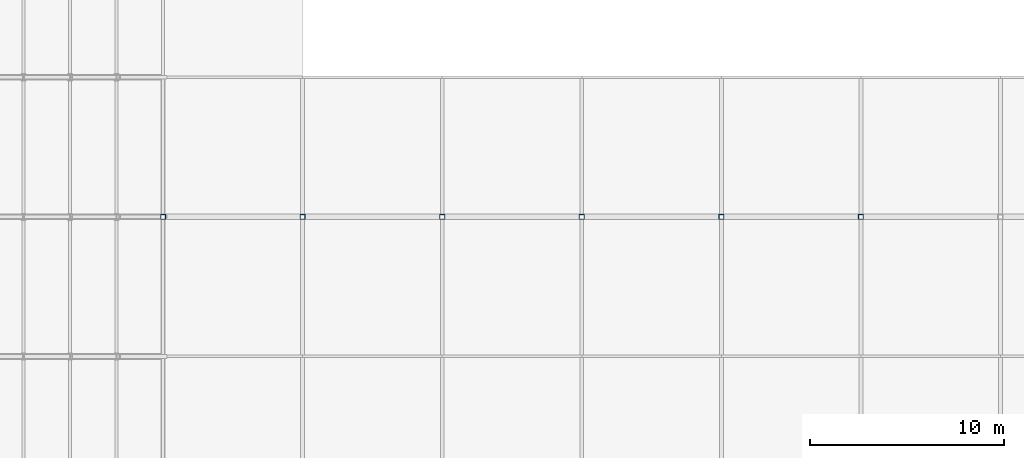
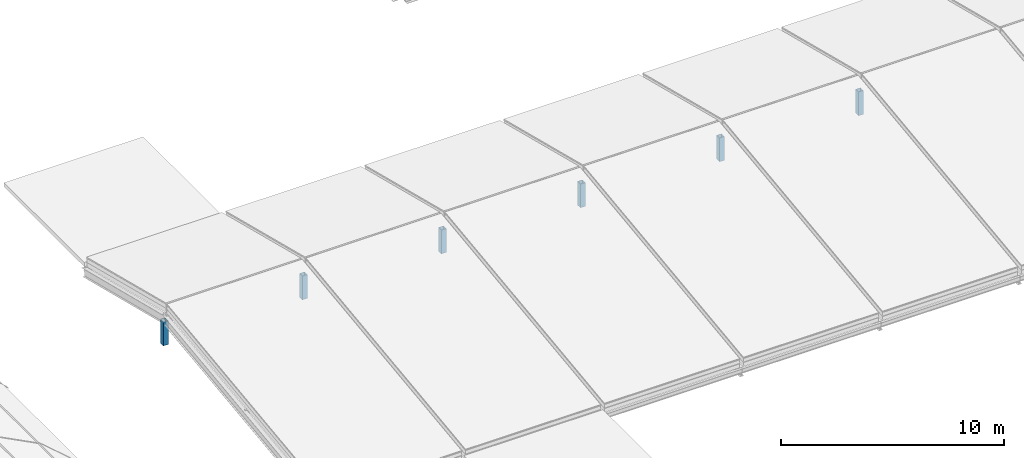
# One storey, part 1 of 60: 6 columns.
"""IFC4 building model written with IfcOpenShell, lengths in metres."""

from ifc_helpers import new_model, si_unit, direction, frame, origin, origin_2d, place, context, subcontext, project, spatial, hollow_rectangle, extrude, material, material_profile, profile_set, type_object, element, save


model = new_model("IFC4")

# Units and contexts
model_context = context("Model", 3, precision=1e-05, world=origin(), true_north=direction((0.0, 1.0)))
body_context = subcontext(model_context, "Body", "Model", "MODEL_VIEW")
ifc_project = project(units=[si_unit("LENGTHUNIT", "METRE"), si_unit("AREAUNIT", "SQUARE_METRE"), si_unit("VOLUMEUNIT", "CUBIC_METRE"), si_unit("PLANEANGLEUNIT", "RADIAN"), si_unit("MASSUNIT", "GRAM", prefix="KILO")], contexts=[model_context])

# Site, building, storey
site_placement = place(None, origin())
site = spatial("IfcSite", under=ifc_project, at=site_placement, CompositionType="ELEMENT")
building_placement = place(site_placement, origin())
building = spatial("IfcBuilding", under=site, at=building_placement, Name="Vesperath Aquatics Centre", CompositionType="ELEMENT")
storey_placement = place(building_placement, frame((0.0, 0.0, 27.60009765625)))
storey = spatial("IfcBuildingStorey", under=building, at=storey_placement, Name="RF", CompositionType="ELEMENT", Elevation=27.60009765625)

# Columns
ifc_material = material(Name="Steel Q355C", Category="steel")
ifc_material_profile = material_profile(ifc_material, hollow_rectangle(XDim=0.260009765625, YDim=0.260009765625, WallThickness=0.011962890625, at=origin_2d()), Name="SHS 260x260x12")
ifc_profile_set = profile_set([ifc_material_profile], Name="Steel Q355C")
column_type = type_object("IfcColumnType", Name="CL-C17", PredefinedType="COLUMN", material=ifc_profile_set)
for number, where, z_axis, x_axis, name in (
    (1, (115.199951171875, 21.60009765625, 0.0), (0.0, 0.0, 1.0), (1.0, 0.0, 0.0), "Boulevard Attic Ridge Column C17 RF 17/D"),
    (2, (122.39990234375, 21.60009765625, 0.0), (0.0, 0.0, 1.0), (1.0, 0.0, 0.0), "Boulevard Attic Ridge Column C17 RF 18/D"),
    (3, (129.60009765625, 21.60009765625, 0.0), (0.0, 0.0, 1.0), (1.0, 0.0, 0.0), "Boulevard Attic Ridge Column C17 RF 19/D"),
    (4, (136.800048828125, 21.60009765625, 0.0), (0.0, 0.0, 1.0), (1.0, 0.0, 0.0), "Boulevard Attic Ridge Column C17 RF 20/D"),
    (5, (144.0, 21.60009765625, 0.0), (0.0, 0.0, 1.0), (1.0, 0.0, 0.0), "Boulevard Attic Ridge Column C17 RF 21/D"),
    (6, (151.199951171875, 21.60009765625, 0.0), (0.0, 0.0, 1.0), (1.0, 0.0, 0.0), "Boulevard Attic Ridge Column C17 RF 22/D"),
):
    element("IfcColumn", number, at=place(storey_placement, frame(where, z_axis=z_axis, x_axis=x_axis)), inside=storey, type_object=column_type, Name=name, PredefinedType="COLUMN", context=body_context, shape_type="SweptSolid", body=[
        extrude(hollow_rectangle(XDim=0.260009765625, YDim=0.260009765625, WallThickness=0.011962890625, at=origin_2d()), origin(), (0.0, 0.0, 1.0), 1.2998046875),
    ])

save(model, "model.ifc")
